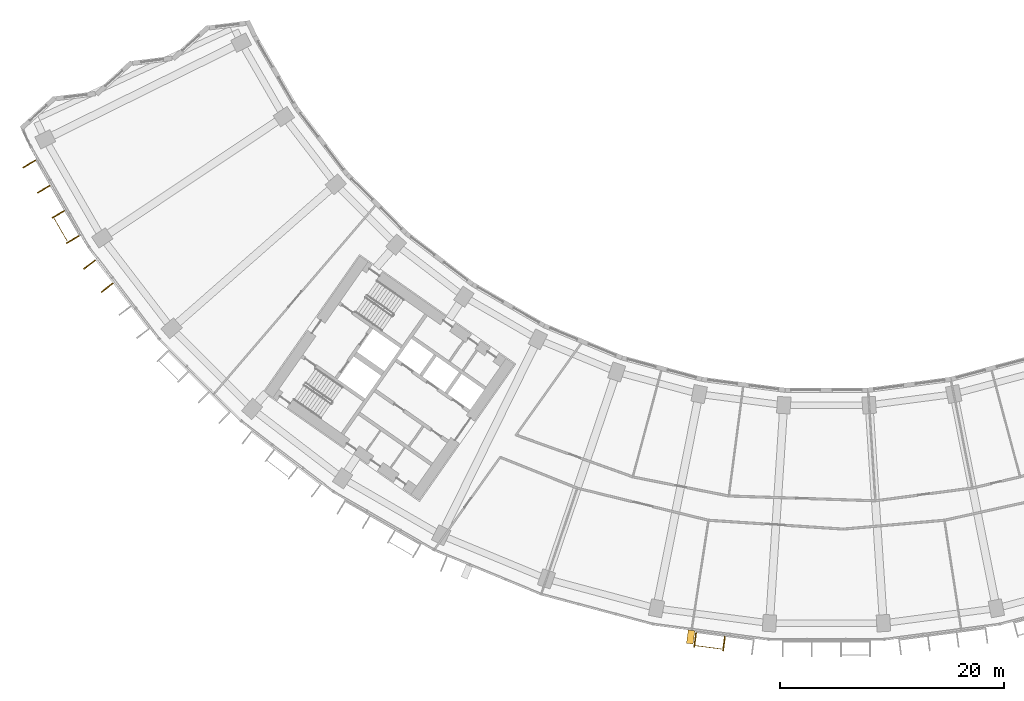
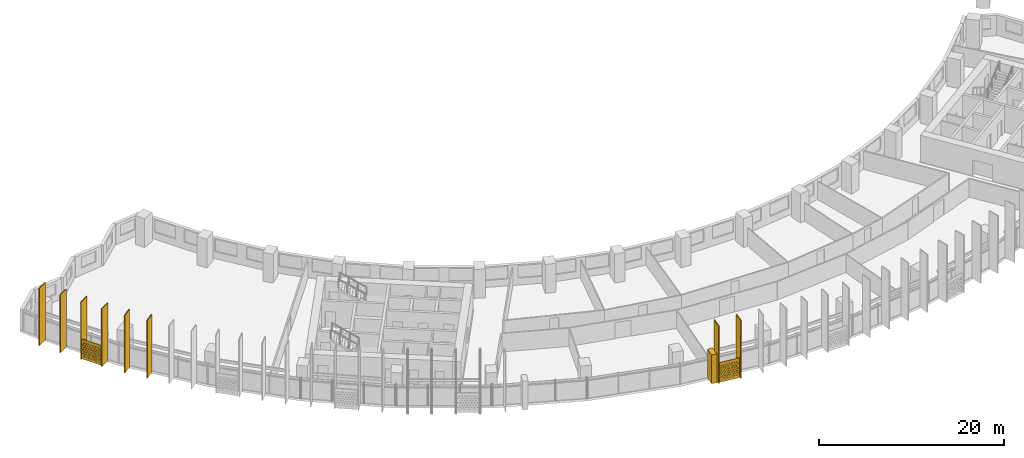
# One storey, part 25 of 30: 11 shading devices.
"""IFC4 building model written with IfcOpenShell, lengths in metres."""

from ifc_helpers import new_model, si_unit, direction, frame, origin, origin_2d, place, context, subcontext, project, spatial, polyline, rectangle, outline, extrude, material, material_profile, profile_set, type_object, element, save


model = new_model("IFC4")

# Units and contexts
model_context = context("Model", 3, precision=1e-05, world=origin(), true_north=direction((0.0, 1.0)))
body_context = subcontext(model_context, "Body", "Model", "MODEL_VIEW")
ifc_project = project(units=[si_unit("LENGTHUNIT", "METRE"), si_unit("AREAUNIT", "SQUARE_METRE"), si_unit("VOLUMEUNIT", "CUBIC_METRE"), si_unit("PLANEANGLEUNIT", "RADIAN"), si_unit("MASSUNIT", "GRAM", prefix="KILO")], contexts=[model_context])

# Site, building, storey
site_placement = place(None, origin())
site = spatial("IfcSite", under=ifc_project, at=site_placement, CompositionType="ELEMENT")
building_placement = place(site_placement, origin())
building = spatial("IfcBuilding", under=site, at=building_placement, Name="Qamariyya Broadcast Tower", CompositionType="ELEMENT")
storey_placement = place(building_placement, frame((0.0, 0.0, 102.5)))
storey = spatial("IfcBuildingStorey", under=building, at=storey_placement, Name="L22", CompositionType="ELEMENT", Elevation=102.5)

# Shading devices
ifc_material_1 = material(Name="Steel S355 powder coated deep red", Category="steel")
shading_device_type_1 = type_object("IfcShadingDeviceType", Name="Deep red frame, powder coated steel box section", PredefinedType="USERDEFINED", material=ifc_material_1)
shading_device_1_placement = place(storey_placement, origin())
element("IfcShadingDevice", 1, at=shading_device_1_placement, inside=storey, type_object=shading_device_type_1, Name="e-frm-B2-F1-postb-L22", ObjectType="FRAME", PredefinedType="USERDEFINED", context=body_context, shape_type="SweptSolid", body=[
    extrude(outline(polyline([(-12.340087890625, -78.1884765625), (-12.49658203125, -79.378173828125), (-11.90185546875, -79.45654296875), (-11.7451171875, -78.266845703125), (-12.340087890625, -78.1884765625)])), origin(), (0.0, 0.0, 1.0), 3.800048828125),
])
ifc_material_2 = material(Name="Perforated glazed terracotta", Category="masonry")
ifc_material_profile_1 = material_profile(ifc_material_2, outline(polyline([(-1.199951171875, -1.300048828125), (1.199951171875, -1.300048828125), (1.199951171875, 1.300048828125), (-1.199951171875, 1.300048828125), (-1.199951171875, -1.300048828125)]), holes=[polyline([(-0.81494140625, -0.86669921875), (-0.89990234375, -0.78173828125), (-0.985107421875, -0.86669921875), (-0.89990234375, -0.95166015625), (-0.81494140625, -0.86669921875)]), polyline([(-0.514892578125, -0.86669921875), (-0.60009765625, -0.78173828125), (-0.68505859375, -0.86669921875), (-0.60009765625, -0.95166015625), (-0.514892578125, -0.86669921875)]), polyline([(-0.215087890625, -0.86669921875), (-0.300048828125, -0.78173828125), (-0.385009765625, -0.86669921875), (-0.300048828125, -0.95166015625), (-0.215087890625, -0.86669921875)]), polyline([(0.0849609375, -0.86669921875), (0.0, -0.78173828125), (-0.0849609375, -0.86669921875), (0.0, -0.95166015625), (0.0849609375, -0.86669921875)]), polyline([(0.385009765625, -0.86669921875), (0.300048828125, -0.78173828125), (0.215087890625, -0.86669921875), (0.300048828125, -0.95166015625), (0.385009765625, -0.86669921875)]), polyline([(0.68505859375, -0.86669921875), (0.60009765625, -0.78173828125), (0.514892578125, -0.86669921875), (0.60009765625, -0.95166015625), (0.68505859375, -0.86669921875)]), polyline([(0.985107421875, -0.86669921875), (0.89990234375, -0.78173828125), (0.81494140625, -0.86669921875), (0.89990234375, -0.95166015625), (0.985107421875, -0.86669921875)]), polyline([(-0.965087890625, -0.577880859375), (-1.050048828125, -0.49267578125), (-1.135009765625, -0.577880859375), (-1.050048828125, -0.662841796875), (-0.965087890625, -0.577880859375)]), polyline([(-0.6650390625, -0.577880859375), (-0.75, -0.49267578125), (-0.8349609375, -0.577880859375), (-0.75, -0.662841796875), (-0.6650390625, -0.577880859375)]), polyline([(-0.364990234375, -0.577880859375), (-0.449951171875, -0.49267578125), (-0.534912109375, -0.577880859375), (-0.449951171875, -0.662841796875), (-0.364990234375, -0.577880859375)]), polyline([(-0.06494140625, -0.577880859375), (-0.14990234375, -0.49267578125), (-0.235107421875, -0.577880859375), (-0.14990234375, -0.662841796875), (-0.06494140625, -0.577880859375)]), polyline([(0.235107421875, -0.577880859375), (0.14990234375, -0.49267578125), (0.06494140625, -0.577880859375), (0.14990234375, -0.662841796875), (0.235107421875, -0.577880859375)]), polyline([(0.534912109375, -0.577880859375), (0.449951171875, -0.49267578125), (0.364990234375, -0.577880859375), (0.449951171875, -0.662841796875), (0.534912109375, -0.577880859375)]), polyline([(0.8349609375, -0.577880859375), (0.75, -0.49267578125), (0.6650390625, -0.577880859375), (0.75, -0.662841796875), (0.8349609375, -0.577880859375)]), polyline([(1.135009765625, -0.577880859375), (1.050048828125, -0.49267578125), (0.965087890625, -0.577880859375), (1.050048828125, -0.662841796875), (1.135009765625, -0.577880859375)]), polyline([(-0.81494140625, -0.288818359375), (-0.89990234375, -0.203857421875), (-0.985107421875, -0.288818359375), (-0.89990234375, -0.373779296875), (-0.81494140625, -0.288818359375)]), polyline([(-0.514892578125, -0.288818359375), (-0.60009765625, -0.203857421875), (-0.68505859375, -0.288818359375), (-0.60009765625, -0.373779296875), (-0.514892578125, -0.288818359375)]), polyline([(-0.215087890625, -0.288818359375), (-0.300048828125, -0.203857421875), (-0.385009765625, -0.288818359375), (-0.300048828125, -0.373779296875), (-0.215087890625, -0.288818359375)]), polyline([(0.0849609375, -0.288818359375), (0.0, -0.203857421875), (-0.0849609375, -0.288818359375), (0.0, -0.373779296875), (0.0849609375, -0.288818359375)]), polyline([(0.385009765625, -0.288818359375), (0.300048828125, -0.203857421875), (0.215087890625, -0.288818359375), (0.300048828125, -0.373779296875), (0.385009765625, -0.288818359375)]), polyline([(0.68505859375, -0.288818359375), (0.60009765625, -0.203857421875), (0.514892578125, -0.288818359375), (0.60009765625, -0.373779296875), (0.68505859375, -0.288818359375)]), polyline([(0.985107421875, -0.288818359375), (0.89990234375, -0.203857421875), (0.81494140625, -0.288818359375), (0.89990234375, -0.373779296875), (0.985107421875, -0.288818359375)]), polyline([(-0.965087890625, 0.0), (-1.050048828125, 0.0849609375), (-1.135009765625, 0.0), (-1.050048828125, -0.0849609375), (-0.965087890625, 0.0)]), polyline([(-0.6650390625, 0.0), (-0.75, 0.0849609375), (-0.8349609375, 0.0), (-0.75, -0.0849609375), (-0.6650390625, 0.0)]), polyline([(-0.364990234375, 0.0), (-0.449951171875, 0.0849609375), (-0.534912109375, 0.0), (-0.449951171875, -0.0849609375), (-0.364990234375, 0.0)]), polyline([(-0.06494140625, 0.0), (-0.14990234375, 0.0849609375), (-0.235107421875, 0.0), (-0.14990234375, -0.0849609375), (-0.06494140625, 0.0)]), polyline([(0.235107421875, 0.0), (0.14990234375, 0.0849609375), (0.06494140625, 0.0), (0.14990234375, -0.0849609375), (0.235107421875, 0.0)]), polyline([(0.534912109375, 0.0), (0.449951171875, 0.0849609375), (0.364990234375, 0.0), (0.449951171875, -0.0849609375), (0.534912109375, 0.0)]), polyline([(0.8349609375, 0.0), (0.75, 0.0849609375), (0.6650390625, 0.0), (0.75, -0.0849609375), (0.8349609375, 0.0)]), polyline([(1.135009765625, 0.0), (1.050048828125, 0.0849609375), (0.965087890625, 0.0), (1.050048828125, -0.0849609375), (1.135009765625, 0.0)]), polyline([(-0.81494140625, 0.288818359375), (-0.89990234375, 0.373779296875), (-0.985107421875, 0.288818359375), (-0.89990234375, 0.203857421875), (-0.81494140625, 0.288818359375)]), polyline([(-0.514892578125, 0.288818359375), (-0.60009765625, 0.373779296875), (-0.68505859375, 0.288818359375), (-0.60009765625, 0.203857421875), (-0.514892578125, 0.288818359375)]), polyline([(-0.215087890625, 0.288818359375), (-0.300048828125, 0.373779296875), (-0.385009765625, 0.288818359375), (-0.300048828125, 0.203857421875), (-0.215087890625, 0.288818359375)]), polyline([(0.0849609375, 0.288818359375), (0.0, 0.373779296875), (-0.0849609375, 0.288818359375), (0.0, 0.203857421875), (0.0849609375, 0.288818359375)]), polyline([(0.385009765625, 0.288818359375), (0.300048828125, 0.373779296875), (0.215087890625, 0.288818359375), (0.300048828125, 0.203857421875), (0.385009765625, 0.288818359375)]), polyline([(0.68505859375, 0.288818359375), (0.60009765625, 0.373779296875), (0.514892578125, 0.288818359375), (0.60009765625, 0.203857421875), (0.68505859375, 0.288818359375)]), polyline([(0.985107421875, 0.288818359375), (0.89990234375, 0.373779296875), (0.81494140625, 0.288818359375), (0.89990234375, 0.203857421875), (0.985107421875, 0.288818359375)]), polyline([(-0.965087890625, 0.577880859375), (-1.050048828125, 0.662841796875), (-1.135009765625, 0.577880859375), (-1.050048828125, 0.49267578125), (-0.965087890625, 0.577880859375)]), polyline([(-0.6650390625, 0.577880859375), (-0.75, 0.662841796875), (-0.8349609375, 0.577880859375), (-0.75, 0.49267578125), (-0.6650390625, 0.577880859375)]), polyline([(-0.364990234375, 0.577880859375), (-0.449951171875, 0.662841796875), (-0.534912109375, 0.577880859375), (-0.449951171875, 0.49267578125), (-0.364990234375, 0.577880859375)]), polyline([(-0.06494140625, 0.577880859375), (-0.14990234375, 0.662841796875), (-0.235107421875, 0.577880859375), (-0.14990234375, 0.49267578125), (-0.06494140625, 0.577880859375)]), polyline([(0.235107421875, 0.577880859375), (0.14990234375, 0.662841796875), (0.06494140625, 0.577880859375), (0.14990234375, 0.49267578125), (0.235107421875, 0.577880859375)]), polyline([(0.534912109375, 0.577880859375), (0.449951171875, 0.662841796875), (0.364990234375, 0.577880859375), (0.449951171875, 0.49267578125), (0.534912109375, 0.577880859375)]), polyline([(0.8349609375, 0.577880859375), (0.75, 0.662841796875), (0.6650390625, 0.577880859375), (0.75, 0.49267578125), (0.8349609375, 0.577880859375)]), polyline([(1.135009765625, 0.577880859375), (1.050048828125, 0.662841796875), (0.965087890625, 0.577880859375), (1.050048828125, 0.49267578125), (1.135009765625, 0.577880859375)]), polyline([(-0.81494140625, 0.86669921875), (-0.89990234375, 0.95166015625), (-0.985107421875, 0.86669921875), (-0.89990234375, 0.78173828125), (-0.81494140625, 0.86669921875)]), polyline([(-0.514892578125, 0.86669921875), (-0.60009765625, 0.95166015625), (-0.68505859375, 0.86669921875), (-0.60009765625, 0.78173828125), (-0.514892578125, 0.86669921875)]), polyline([(-0.215087890625, 0.86669921875), (-0.300048828125, 0.95166015625), (-0.385009765625, 0.86669921875), (-0.300048828125, 0.78173828125), (-0.215087890625, 0.86669921875)]), polyline([(0.0849609375, 0.86669921875), (0.0, 0.95166015625), (-0.0849609375, 0.86669921875), (0.0, 0.78173828125), (0.0849609375, 0.86669921875)]), polyline([(0.385009765625, 0.86669921875), (0.300048828125, 0.95166015625), (0.215087890625, 0.86669921875), (0.300048828125, 0.78173828125), (0.385009765625, 0.86669921875)]), polyline([(0.68505859375, 0.86669921875), (0.60009765625, 0.95166015625), (0.514892578125, 0.86669921875), (0.60009765625, 0.78173828125), (0.68505859375, 0.86669921875)]), polyline([(0.985107421875, 0.86669921875), (0.89990234375, 0.95166015625), (0.81494140625, 0.86669921875), (0.89990234375, 0.78173828125), (0.985107421875, 0.86669921875)])]))
ifc_profile_set_1 = profile_set([ifc_material_profile_1], Name="Perforated glazed terracotta")
shading_device_type_2 = type_object("IfcShadingDeviceType", Name="Perforated terracotta screen 2400 x 2600", PredefinedType="USERDEFINED", material=ifc_profile_set_1)
shading_device_2_placement = place(storey_placement, frame((-68.355224609375, -42.405517578125, 1.35009765625), z_axis=(-0.865982457891, -0.500074377092, 0.0), x_axis=(0.500074377092, -0.865982457891, 0.0)))
element("IfcShadingDevice", 2, at=shading_device_2_placement, inside=storey, type_object=shading_device_type_2, Name="e-scr-L22-01-2", ObjectType="SCREEN", PredefinedType="USERDEFINED", context=body_context, shape_type="SweptSolid", body=[
    extrude(outline(polyline([(-1.199951171875, -1.300048828125), (1.199951171875, -1.300048828125), (1.199951171875, 1.300048828125), (-1.199951171875, 1.300048828125), (-1.199951171875, -1.300048828125)]), holes=[polyline([(-0.81494140625, -0.86669921875), (-0.89990234375, -0.78173828125), (-0.985107421875, -0.86669921875), (-0.89990234375, -0.95166015625), (-0.81494140625, -0.86669921875)]), polyline([(-0.514892578125, -0.86669921875), (-0.60009765625, -0.78173828125), (-0.68505859375, -0.86669921875), (-0.60009765625, -0.95166015625), (-0.514892578125, -0.86669921875)]), polyline([(-0.215087890625, -0.86669921875), (-0.300048828125, -0.78173828125), (-0.385009765625, -0.86669921875), (-0.300048828125, -0.95166015625), (-0.215087890625, -0.86669921875)]), polyline([(0.0849609375, -0.86669921875), (0.0, -0.78173828125), (-0.0849609375, -0.86669921875), (0.0, -0.95166015625), (0.0849609375, -0.86669921875)]), polyline([(0.385009765625, -0.86669921875), (0.300048828125, -0.78173828125), (0.215087890625, -0.86669921875), (0.300048828125, -0.95166015625), (0.385009765625, -0.86669921875)]), polyline([(0.68505859375, -0.86669921875), (0.60009765625, -0.78173828125), (0.514892578125, -0.86669921875), (0.60009765625, -0.95166015625), (0.68505859375, -0.86669921875)]), polyline([(0.985107421875, -0.86669921875), (0.89990234375, -0.78173828125), (0.81494140625, -0.86669921875), (0.89990234375, -0.95166015625), (0.985107421875, -0.86669921875)]), polyline([(-0.965087890625, -0.577880859375), (-1.050048828125, -0.49267578125), (-1.135009765625, -0.577880859375), (-1.050048828125, -0.662841796875), (-0.965087890625, -0.577880859375)]), polyline([(-0.6650390625, -0.577880859375), (-0.75, -0.49267578125), (-0.8349609375, -0.577880859375), (-0.75, -0.662841796875), (-0.6650390625, -0.577880859375)]), polyline([(-0.364990234375, -0.577880859375), (-0.449951171875, -0.49267578125), (-0.534912109375, -0.577880859375), (-0.449951171875, -0.662841796875), (-0.364990234375, -0.577880859375)]), polyline([(-0.06494140625, -0.577880859375), (-0.14990234375, -0.49267578125), (-0.235107421875, -0.577880859375), (-0.14990234375, -0.662841796875), (-0.06494140625, -0.577880859375)]), polyline([(0.235107421875, -0.577880859375), (0.14990234375, -0.49267578125), (0.06494140625, -0.577880859375), (0.14990234375, -0.662841796875), (0.235107421875, -0.577880859375)]), polyline([(0.534912109375, -0.577880859375), (0.449951171875, -0.49267578125), (0.364990234375, -0.577880859375), (0.449951171875, -0.662841796875), (0.534912109375, -0.577880859375)]), polyline([(0.8349609375, -0.577880859375), (0.75, -0.49267578125), (0.6650390625, -0.577880859375), (0.75, -0.662841796875), (0.8349609375, -0.577880859375)]), polyline([(1.135009765625, -0.577880859375), (1.050048828125, -0.49267578125), (0.965087890625, -0.577880859375), (1.050048828125, -0.662841796875), (1.135009765625, -0.577880859375)]), polyline([(-0.81494140625, -0.288818359375), (-0.89990234375, -0.203857421875), (-0.985107421875, -0.288818359375), (-0.89990234375, -0.373779296875), (-0.81494140625, -0.288818359375)]), polyline([(-0.514892578125, -0.288818359375), (-0.60009765625, -0.203857421875), (-0.68505859375, -0.288818359375), (-0.60009765625, -0.373779296875), (-0.514892578125, -0.288818359375)]), polyline([(-0.215087890625, -0.288818359375), (-0.300048828125, -0.203857421875), (-0.385009765625, -0.288818359375), (-0.300048828125, -0.373779296875), (-0.215087890625, -0.288818359375)]), polyline([(0.0849609375, -0.288818359375), (0.0, -0.203857421875), (-0.0849609375, -0.288818359375), (0.0, -0.373779296875), (0.0849609375, -0.288818359375)]), polyline([(0.385009765625, -0.288818359375), (0.300048828125, -0.203857421875), (0.215087890625, -0.288818359375), (0.300048828125, -0.373779296875), (0.385009765625, -0.288818359375)]), polyline([(0.68505859375, -0.288818359375), (0.60009765625, -0.203857421875), (0.514892578125, -0.288818359375), (0.60009765625, -0.373779296875), (0.68505859375, -0.288818359375)]), polyline([(0.985107421875, -0.288818359375), (0.89990234375, -0.203857421875), (0.81494140625, -0.288818359375), (0.89990234375, -0.373779296875), (0.985107421875, -0.288818359375)]), polyline([(-0.965087890625, 0.0), (-1.050048828125, 0.0849609375), (-1.135009765625, 0.0), (-1.050048828125, -0.0849609375), (-0.965087890625, 0.0)]), polyline([(-0.6650390625, 0.0), (-0.75, 0.0849609375), (-0.8349609375, 0.0), (-0.75, -0.0849609375), (-0.6650390625, 0.0)]), polyline([(-0.364990234375, 0.0), (-0.449951171875, 0.0849609375), (-0.534912109375, 0.0), (-0.449951171875, -0.0849609375), (-0.364990234375, 0.0)]), polyline([(-0.06494140625, 0.0), (-0.14990234375, 0.0849609375), (-0.235107421875, 0.0), (-0.14990234375, -0.0849609375), (-0.06494140625, 0.0)]), polyline([(0.235107421875, 0.0), (0.14990234375, 0.0849609375), (0.06494140625, 0.0), (0.14990234375, -0.0849609375), (0.235107421875, 0.0)]), polyline([(0.534912109375, 0.0), (0.449951171875, 0.0849609375), (0.364990234375, 0.0), (0.449951171875, -0.0849609375), (0.534912109375, 0.0)]), polyline([(0.8349609375, 0.0), (0.75, 0.0849609375), (0.6650390625, 0.0), (0.75, -0.0849609375), (0.8349609375, 0.0)]), polyline([(1.135009765625, 0.0), (1.050048828125, 0.0849609375), (0.965087890625, 0.0), (1.050048828125, -0.0849609375), (1.135009765625, 0.0)]), polyline([(-0.81494140625, 0.288818359375), (-0.89990234375, 0.373779296875), (-0.985107421875, 0.288818359375), (-0.89990234375, 0.203857421875), (-0.81494140625, 0.288818359375)]), polyline([(-0.514892578125, 0.288818359375), (-0.60009765625, 0.373779296875), (-0.68505859375, 0.288818359375), (-0.60009765625, 0.203857421875), (-0.514892578125, 0.288818359375)]), polyline([(-0.215087890625, 0.288818359375), (-0.300048828125, 0.373779296875), (-0.385009765625, 0.288818359375), (-0.300048828125, 0.203857421875), (-0.215087890625, 0.288818359375)]), polyline([(0.0849609375, 0.288818359375), (0.0, 0.373779296875), (-0.0849609375, 0.288818359375), (0.0, 0.203857421875), (0.0849609375, 0.288818359375)]), polyline([(0.385009765625, 0.288818359375), (0.300048828125, 0.373779296875), (0.215087890625, 0.288818359375), (0.300048828125, 0.203857421875), (0.385009765625, 0.288818359375)]), polyline([(0.68505859375, 0.288818359375), (0.60009765625, 0.373779296875), (0.514892578125, 0.288818359375), (0.60009765625, 0.203857421875), (0.68505859375, 0.288818359375)]), polyline([(0.985107421875, 0.288818359375), (0.89990234375, 0.373779296875), (0.81494140625, 0.288818359375), (0.89990234375, 0.203857421875), (0.985107421875, 0.288818359375)]), polyline([(-0.965087890625, 0.577880859375), (-1.050048828125, 0.662841796875), (-1.135009765625, 0.577880859375), (-1.050048828125, 0.49267578125), (-0.965087890625, 0.577880859375)]), polyline([(-0.6650390625, 0.577880859375), (-0.75, 0.662841796875), (-0.8349609375, 0.577880859375), (-0.75, 0.49267578125), (-0.6650390625, 0.577880859375)]), polyline([(-0.364990234375, 0.577880859375), (-0.449951171875, 0.662841796875), (-0.534912109375, 0.577880859375), (-0.449951171875, 0.49267578125), (-0.364990234375, 0.577880859375)]), polyline([(-0.06494140625, 0.577880859375), (-0.14990234375, 0.662841796875), (-0.235107421875, 0.577880859375), (-0.14990234375, 0.49267578125), (-0.06494140625, 0.577880859375)]), polyline([(0.235107421875, 0.577880859375), (0.14990234375, 0.662841796875), (0.06494140625, 0.577880859375), (0.14990234375, 0.49267578125), (0.235107421875, 0.577880859375)]), polyline([(0.534912109375, 0.577880859375), (0.449951171875, 0.662841796875), (0.364990234375, 0.577880859375), (0.449951171875, 0.49267578125), (0.534912109375, 0.577880859375)]), polyline([(0.8349609375, 0.577880859375), (0.75, 0.662841796875), (0.6650390625, 0.577880859375), (0.75, 0.49267578125), (0.8349609375, 0.577880859375)]), polyline([(1.135009765625, 0.577880859375), (1.050048828125, 0.662841796875), (0.965087890625, 0.577880859375), (1.050048828125, 0.49267578125), (1.135009765625, 0.577880859375)]), polyline([(-0.81494140625, 0.86669921875), (-0.89990234375, 0.95166015625), (-0.985107421875, 0.86669921875), (-0.89990234375, 0.78173828125), (-0.81494140625, 0.86669921875)]), polyline([(-0.514892578125, 0.86669921875), (-0.60009765625, 0.95166015625), (-0.68505859375, 0.86669921875), (-0.60009765625, 0.78173828125), (-0.514892578125, 0.86669921875)]), polyline([(-0.215087890625, 0.86669921875), (-0.300048828125, 0.95166015625), (-0.385009765625, 0.86669921875), (-0.300048828125, 0.78173828125), (-0.215087890625, 0.86669921875)]), polyline([(0.0849609375, 0.86669921875), (0.0, 0.95166015625), (-0.0849609375, 0.86669921875), (0.0, 0.78173828125), (0.0849609375, 0.86669921875)]), polyline([(0.385009765625, 0.86669921875), (0.300048828125, 0.95166015625), (0.215087890625, 0.86669921875), (0.300048828125, 0.78173828125), (0.385009765625, 0.86669921875)]), polyline([(0.68505859375, 0.86669921875), (0.60009765625, 0.95166015625), (0.514892578125, 0.86669921875), (0.60009765625, 0.78173828125), (0.68505859375, 0.86669921875)]), polyline([(0.985107421875, 0.86669921875), (0.89990234375, 0.95166015625), (0.81494140625, 0.86669921875), (0.89990234375, 0.78173828125), (0.985107421875, 0.86669921875)])]), origin(), (0.0, 0.0, 1.0), 0.06005859375),
])
shading_device_3_placement = place(storey_placement, frame((-10.54052734375, -79.706298828125, 1.35009765625), z_axis=(-0.1300340368, -0.991509530601, 0.0), x_axis=(0.991509530601, -0.1300340368, 0.0)))
element("IfcShadingDevice", 3, at=shading_device_3_placement, inside=storey, type_object=shading_device_type_2, Name="e-scr-L22-08-1", ObjectType="SCREEN", PredefinedType="USERDEFINED", context=body_context, shape_type="SweptSolid", body=[
    extrude(outline(polyline([(-1.199951171875, -1.300048828125), (1.199951171875, -1.300048828125), (1.199951171875, 1.300048828125), (-1.199951171875, 1.300048828125), (-1.199951171875, -1.300048828125)]), holes=[polyline([(-0.81494140625, -0.86669921875), (-0.89990234375, -0.78173828125), (-0.985107421875, -0.86669921875), (-0.89990234375, -0.95166015625), (-0.81494140625, -0.86669921875)]), polyline([(-0.514892578125, -0.86669921875), (-0.60009765625, -0.78173828125), (-0.68505859375, -0.86669921875), (-0.60009765625, -0.95166015625), (-0.514892578125, -0.86669921875)]), polyline([(-0.215087890625, -0.86669921875), (-0.300048828125, -0.78173828125), (-0.385009765625, -0.86669921875), (-0.300048828125, -0.95166015625), (-0.215087890625, -0.86669921875)]), polyline([(0.0849609375, -0.86669921875), (0.0, -0.78173828125), (-0.0849609375, -0.86669921875), (0.0, -0.95166015625), (0.0849609375, -0.86669921875)]), polyline([(0.385009765625, -0.86669921875), (0.300048828125, -0.78173828125), (0.215087890625, -0.86669921875), (0.300048828125, -0.95166015625), (0.385009765625, -0.86669921875)]), polyline([(0.68505859375, -0.86669921875), (0.60009765625, -0.78173828125), (0.514892578125, -0.86669921875), (0.60009765625, -0.95166015625), (0.68505859375, -0.86669921875)]), polyline([(0.985107421875, -0.86669921875), (0.89990234375, -0.78173828125), (0.81494140625, -0.86669921875), (0.89990234375, -0.95166015625), (0.985107421875, -0.86669921875)]), polyline([(-0.965087890625, -0.577880859375), (-1.050048828125, -0.49267578125), (-1.135009765625, -0.577880859375), (-1.050048828125, -0.662841796875), (-0.965087890625, -0.577880859375)]), polyline([(-0.6650390625, -0.577880859375), (-0.75, -0.49267578125), (-0.8349609375, -0.577880859375), (-0.75, -0.662841796875), (-0.6650390625, -0.577880859375)]), polyline([(-0.364990234375, -0.577880859375), (-0.449951171875, -0.49267578125), (-0.534912109375, -0.577880859375), (-0.449951171875, -0.662841796875), (-0.364990234375, -0.577880859375)]), polyline([(-0.06494140625, -0.577880859375), (-0.14990234375, -0.49267578125), (-0.235107421875, -0.577880859375), (-0.14990234375, -0.662841796875), (-0.06494140625, -0.577880859375)]), polyline([(0.235107421875, -0.577880859375), (0.14990234375, -0.49267578125), (0.06494140625, -0.577880859375), (0.14990234375, -0.662841796875), (0.235107421875, -0.577880859375)]), polyline([(0.534912109375, -0.577880859375), (0.449951171875, -0.49267578125), (0.364990234375, -0.577880859375), (0.449951171875, -0.662841796875), (0.534912109375, -0.577880859375)]), polyline([(0.8349609375, -0.577880859375), (0.75, -0.49267578125), (0.6650390625, -0.577880859375), (0.75, -0.662841796875), (0.8349609375, -0.577880859375)]), polyline([(1.135009765625, -0.577880859375), (1.050048828125, -0.49267578125), (0.965087890625, -0.577880859375), (1.050048828125, -0.662841796875), (1.135009765625, -0.577880859375)]), polyline([(-0.81494140625, -0.288818359375), (-0.89990234375, -0.203857421875), (-0.985107421875, -0.288818359375), (-0.89990234375, -0.373779296875), (-0.81494140625, -0.288818359375)]), polyline([(-0.514892578125, -0.288818359375), (-0.60009765625, -0.203857421875), (-0.68505859375, -0.288818359375), (-0.60009765625, -0.373779296875), (-0.514892578125, -0.288818359375)]), polyline([(-0.215087890625, -0.288818359375), (-0.300048828125, -0.203857421875), (-0.385009765625, -0.288818359375), (-0.300048828125, -0.373779296875), (-0.215087890625, -0.288818359375)]), polyline([(0.0849609375, -0.288818359375), (0.0, -0.203857421875), (-0.0849609375, -0.288818359375), (0.0, -0.373779296875), (0.0849609375, -0.288818359375)]), polyline([(0.385009765625, -0.288818359375), (0.300048828125, -0.203857421875), (0.215087890625, -0.288818359375), (0.300048828125, -0.373779296875), (0.385009765625, -0.288818359375)]), polyline([(0.68505859375, -0.288818359375), (0.60009765625, -0.203857421875), (0.514892578125, -0.288818359375), (0.60009765625, -0.373779296875), (0.68505859375, -0.288818359375)]), polyline([(0.985107421875, -0.288818359375), (0.89990234375, -0.203857421875), (0.81494140625, -0.288818359375), (0.89990234375, -0.373779296875), (0.985107421875, -0.288818359375)]), polyline([(-0.965087890625, 0.0), (-1.050048828125, 0.0849609375), (-1.135009765625, 0.0), (-1.050048828125, -0.0849609375), (-0.965087890625, 0.0)]), polyline([(-0.6650390625, 0.0), (-0.75, 0.0849609375), (-0.8349609375, 0.0), (-0.75, -0.0849609375), (-0.6650390625, 0.0)]), polyline([(-0.364990234375, 0.0), (-0.449951171875, 0.0849609375), (-0.534912109375, 0.0), (-0.449951171875, -0.0849609375), (-0.364990234375, 0.0)]), polyline([(-0.06494140625, 0.0), (-0.14990234375, 0.0849609375), (-0.235107421875, 0.0), (-0.14990234375, -0.0849609375), (-0.06494140625, 0.0)]), polyline([(0.235107421875, 0.0), (0.14990234375, 0.0849609375), (0.06494140625, 0.0), (0.14990234375, -0.0849609375), (0.235107421875, 0.0)]), polyline([(0.534912109375, 0.0), (0.449951171875, 0.0849609375), (0.364990234375, 0.0), (0.449951171875, -0.0849609375), (0.534912109375, 0.0)]), polyline([(0.8349609375, 0.0), (0.75, 0.0849609375), (0.6650390625, 0.0), (0.75, -0.0849609375), (0.8349609375, 0.0)]), polyline([(1.135009765625, 0.0), (1.050048828125, 0.0849609375), (0.965087890625, 0.0), (1.050048828125, -0.0849609375), (1.135009765625, 0.0)]), polyline([(-0.81494140625, 0.288818359375), (-0.89990234375, 0.373779296875), (-0.985107421875, 0.288818359375), (-0.89990234375, 0.203857421875), (-0.81494140625, 0.288818359375)]), polyline([(-0.514892578125, 0.288818359375), (-0.60009765625, 0.373779296875), (-0.68505859375, 0.288818359375), (-0.60009765625, 0.203857421875), (-0.514892578125, 0.288818359375)]), polyline([(-0.215087890625, 0.288818359375), (-0.300048828125, 0.373779296875), (-0.385009765625, 0.288818359375), (-0.300048828125, 0.203857421875), (-0.215087890625, 0.288818359375)]), polyline([(0.0849609375, 0.288818359375), (0.0, 0.373779296875), (-0.0849609375, 0.288818359375), (0.0, 0.203857421875), (0.0849609375, 0.288818359375)]), polyline([(0.385009765625, 0.288818359375), (0.300048828125, 0.373779296875), (0.215087890625, 0.288818359375), (0.300048828125, 0.203857421875), (0.385009765625, 0.288818359375)]), polyline([(0.68505859375, 0.288818359375), (0.60009765625, 0.373779296875), (0.514892578125, 0.288818359375), (0.60009765625, 0.203857421875), (0.68505859375, 0.288818359375)]), polyline([(0.985107421875, 0.288818359375), (0.89990234375, 0.373779296875), (0.81494140625, 0.288818359375), (0.89990234375, 0.203857421875), (0.985107421875, 0.288818359375)]), polyline([(-0.965087890625, 0.577880859375), (-1.050048828125, 0.662841796875), (-1.135009765625, 0.577880859375), (-1.050048828125, 0.49267578125), (-0.965087890625, 0.577880859375)]), polyline([(-0.6650390625, 0.577880859375), (-0.75, 0.662841796875), (-0.8349609375, 0.577880859375), (-0.75, 0.49267578125), (-0.6650390625, 0.577880859375)]), polyline([(-0.364990234375, 0.577880859375), (-0.449951171875, 0.662841796875), (-0.534912109375, 0.577880859375), (-0.449951171875, 0.49267578125), (-0.364990234375, 0.577880859375)]), polyline([(-0.06494140625, 0.577880859375), (-0.14990234375, 0.662841796875), (-0.235107421875, 0.577880859375), (-0.14990234375, 0.49267578125), (-0.06494140625, 0.577880859375)]), polyline([(0.235107421875, 0.577880859375), (0.14990234375, 0.662841796875), (0.06494140625, 0.577880859375), (0.14990234375, 0.49267578125), (0.235107421875, 0.577880859375)]), polyline([(0.534912109375, 0.577880859375), (0.449951171875, 0.662841796875), (0.364990234375, 0.577880859375), (0.449951171875, 0.49267578125), (0.534912109375, 0.577880859375)]), polyline([(0.8349609375, 0.577880859375), (0.75, 0.662841796875), (0.6650390625, 0.577880859375), (0.75, 0.49267578125), (0.8349609375, 0.577880859375)]), polyline([(1.135009765625, 0.577880859375), (1.050048828125, 0.662841796875), (0.965087890625, 0.577880859375), (1.050048828125, 0.49267578125), (1.135009765625, 0.577880859375)]), polyline([(-0.81494140625, 0.86669921875), (-0.89990234375, 0.95166015625), (-0.985107421875, 0.86669921875), (-0.89990234375, 0.78173828125), (-0.81494140625, 0.86669921875)]), polyline([(-0.514892578125, 0.86669921875), (-0.60009765625, 0.95166015625), (-0.68505859375, 0.86669921875), (-0.60009765625, 0.78173828125), (-0.514892578125, 0.86669921875)]), polyline([(-0.215087890625, 0.86669921875), (-0.300048828125, 0.95166015625), (-0.385009765625, 0.86669921875), (-0.300048828125, 0.78173828125), (-0.215087890625, 0.86669921875)]), polyline([(0.0849609375, 0.86669921875), (0.0, 0.95166015625), (-0.0849609375, 0.86669921875), (0.0, 0.78173828125), (0.0849609375, 0.86669921875)]), polyline([(0.385009765625, 0.86669921875), (0.300048828125, 0.95166015625), (0.215087890625, 0.86669921875), (0.300048828125, 0.78173828125), (0.385009765625, 0.86669921875)]), polyline([(0.68505859375, 0.86669921875), (0.60009765625, 0.95166015625), (0.514892578125, 0.86669921875), (0.60009765625, 0.78173828125), (0.68505859375, 0.86669921875)]), polyline([(0.985107421875, 0.86669921875), (0.89990234375, 0.95166015625), (0.81494140625, 0.86669921875), (0.89990234375, 0.78173828125), (0.985107421875, 0.86669921875)])]), origin(), (0.0, 0.0, 1.0), 0.06005859375),
])
ifc_material_3 = material(Name="Glazed terracotta", Category="masonry")
ifc_material_profile_2 = material_profile(ifc_material_3, rectangle(XDim=1.300048828125, YDim=0.10009765625, at=origin_2d()))
ifc_profile_set_2 = profile_set([ifc_material_profile_2], Name="Glazed terracotta")
shading_device_type_3 = type_object("IfcShadingDeviceType", Name="Terracotta fin 100 x 1300", PredefinedType="USERDEFINED", material=ifc_profile_set_2)
for number, where, z_axis, x_axis, name in (
    (4, (-71.16650390625, -36.596435546875, 0.0), (0.0, 0.0, 1.0), (-0.866025403784, -0.5, 0.0), "e-fin-L22-01-0"),
    (5, (-69.869873046875, -38.84228515625, 0.0), (0.0, 0.0, 1.0), (-0.866025403784, -0.5, 0.0), "e-fin-L22-01-1"),
    (6, (-68.5732421875, -41.087890625, 0.0), (0.0, 0.0, 1.0), (-0.866025403784, -0.5, 0.0), "e-fin-L22-01-2"),
    (7, (-67.276611328125, -43.333740234375, 0.0), (0.0, 0.0, 1.0), (-0.866025403784, -0.5, 0.0), "e-fin-L22-01-3"),
    (8, (-65.781005859375, -45.572509765625, 0.0), (0.0, 0.0, 1.0), (-0.793353340291, -0.608761429009, 0.0), "e-fin-L22-02-0"),
    (9, (-64.2021484375, -47.629638671875, 0.0), (0.0, 0.0, 1.0), (-0.793353340291, -0.608761429009, 0.0), "e-fin-L22-02-1"),
    (10, (-11.718505859375, -79.0771484375, 0.0), (0.0, 0.0, 1.0), (-0.13052619222, -0.991444861374, 0.0), "e-fin-L22-08-1"),
    (11, (-9.1474609375, -79.41552734375, 0.0), (0.0, 0.0, 1.0), (-0.13052619222, -0.991444861374, 0.0), "e-fin-L22-08-2"),
):
    element("IfcShadingDevice", number, at=place(storey_placement, frame(where, z_axis=z_axis, x_axis=x_axis)), inside=storey, type_object=shading_device_type_3, Name=name, ObjectType="FIN", PredefinedType="USERDEFINED", context=body_context, shape_type="SweptSolid", body=[
        extrude(rectangle(XDim=1.300048828125, YDim=0.10009765625, at=origin_2d()), origin(), (0.0, 0.0, 1.0), 7.60009765625),
    ])

save(model, "model.ifc")
